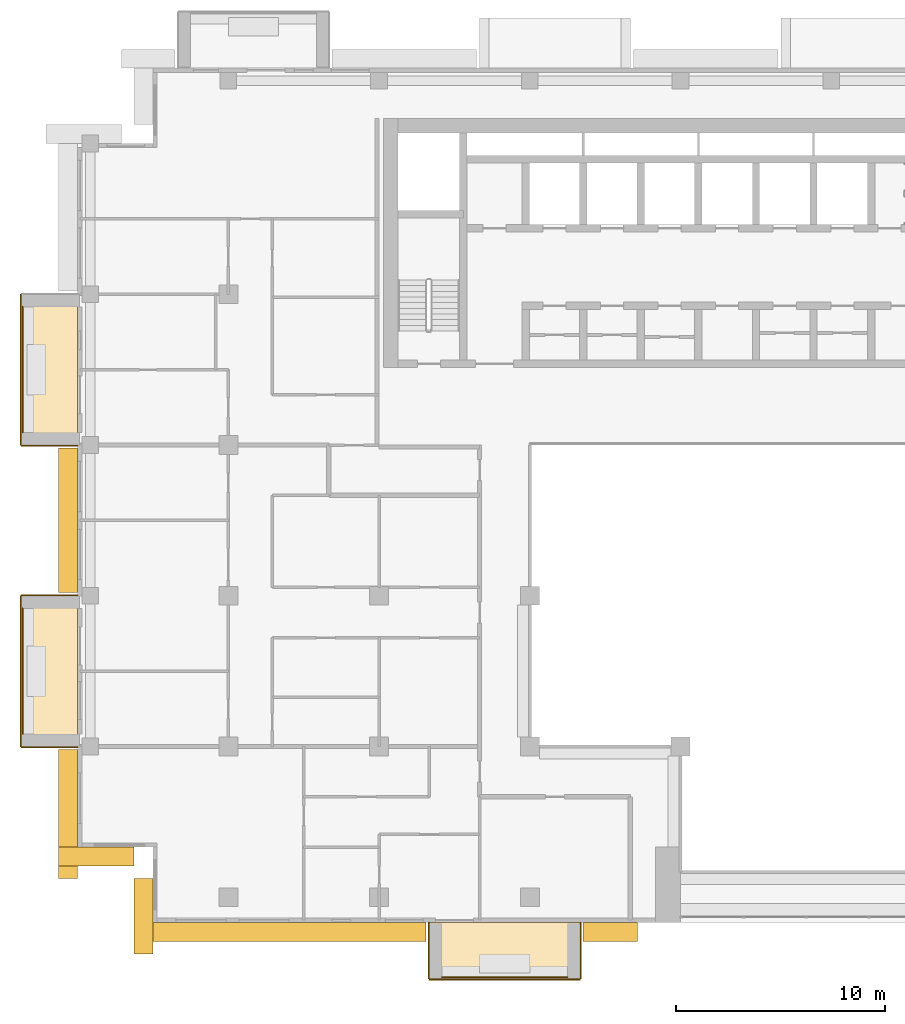
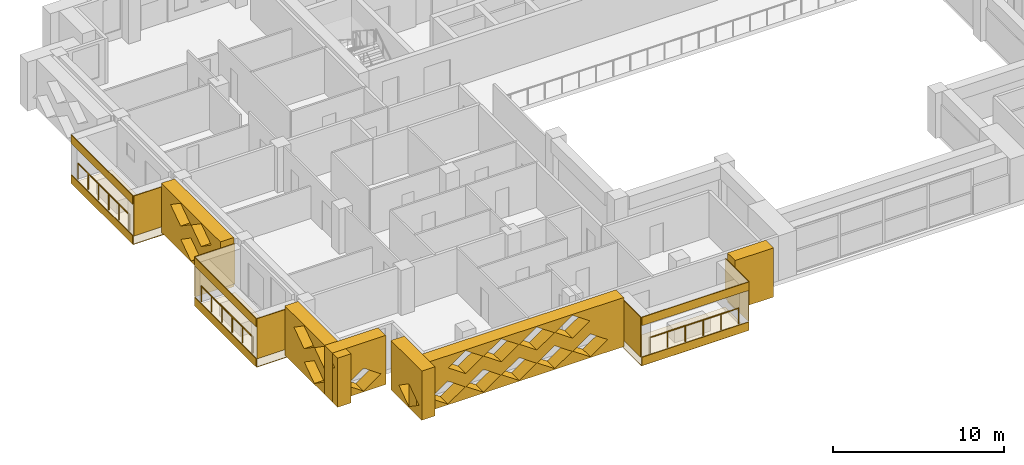
# One storey, part 14 of 20: 20 coverings, 3 railings.
"""IFC4 building model written with IfcOpenShell, lengths in metres."""

from ifc_helpers import new_model, si_unit, direction, frame, origin, origin_2d, place, context, subcontext, project, spatial, polyline, circle, outline, extrude, material, layer, layer_set, type_object, element, save


model = new_model("IFC4")

# Units and contexts
model_context = context("Model", 3, precision=1e-05, world=origin(), true_north=direction((0.0, 1.0)))
body_context = subcontext(model_context, "Body", "Model", "MODEL_VIEW")
ifc_project = project(units=[si_unit("LENGTHUNIT", "METRE"), si_unit("AREAUNIT", "SQUARE_METRE"), si_unit("VOLUMEUNIT", "CUBIC_METRE"), si_unit("PLANEANGLEUNIT", "RADIAN"), si_unit("MASSUNIT", "GRAM", prefix="KILO")], contexts=[model_context])

# Site, building, storey
site_placement = place(None, origin())
site = spatial("IfcSite", under=ifc_project, at=site_placement, CompositionType="ELEMENT")
building_placement = place(site_placement, origin())
building = spatial("IfcBuilding", under=site, at=building_placement, Name="Saffron Iwan Residences", CompositionType="ELEMENT")
storey_placement = place(building_placement, frame((0.0, 0.0, 195.5)))
storey = spatial("IfcBuildingStorey", under=building, at=storey_placement, Name="L52", CompositionType="ELEMENT", Elevation=195.5)

# Railings
ifc_material_1 = material(Name="Stainless steel 316", Category="steel")
railing_type = type_object("IfcRailingType", Name="BALCONY GUARD 1150", PredefinedType="GUARDRAIL", material=ifc_material_1)
for number, where, name in (
    (1, (11.77490234375, 69.0, 0.0), "Balcony guard L52 F8-0"),
    (2, (11.77490234375, 54.60009765625, 0.0), "Balcony guard L52 F8-1"),
):
    element("IfcRailing", number, at=place(storey_placement, frame(where)), inside=storey, type_object=railing_type, Name=name, PredefinedType="GUARDRAIL", context=body_context, shape_type="SweptSolid", body=[
        extrude(circle(Radius=0.02392578125, at=origin_2d()), frame((0.0, 0.0, 1.1259765625), z_axis=(0.0, -1.0, 0.0), x_axis=(1.0, 0.0, 0.0)), (0.0, 0.0, 1.0), 6.0),
        extrude(circle(Radius=0.02099609375, at=origin_2d()), origin(), (0.0, 0.0, 1.0), 1.101806640625),
        extrude(circle(Radius=0.02099609375, at=origin_2d()), frame((0.0, -1.199951171875, 0.0)), (0.0, 0.0, 1.0), 1.101806640625),
        extrude(circle(Radius=0.02099609375, at=origin_2d()), frame((0.0, -2.39990234375, 0.0)), (0.0, 0.0, 1.0), 1.101806640625),
        extrude(circle(Radius=0.02099609375, at=origin_2d()), frame((0.0, -3.60009765625, 0.0)), (0.0, 0.0, 1.0), 1.101806640625),
        extrude(circle(Radius=0.02099609375, at=origin_2d()), frame((0.0, -4.800048828125, 0.0)), (0.0, 0.0, 1.0), 1.101806640625),
        extrude(circle(Radius=0.02099609375, at=origin_2d()), frame((0.0, -6.0, 0.0)), (0.0, 0.0, 1.0), 1.101806640625),
    ])
railing_placement = place(storey_placement, frame((31.800048828125, 36.97509765625, 0.0)))
element("IfcRailing", 3, at=railing_placement, inside=storey, type_object=railing_type, Name="Balcony guard L52 11-0", PredefinedType="GUARDRAIL", context=body_context, shape_type="SweptSolid", body=[
    extrude(circle(Radius=0.02392578125, at=origin_2d()), frame((0.0, 0.0, 1.1259765625), z_axis=(1.0, 0.0, 0.0), x_axis=(0.0, 1.0, 0.0)), (0.0, 0.0, 1.0), 6.0),
    extrude(circle(Radius=0.02099609375, at=origin_2d()), origin(), (0.0, 0.0, 1.0), 1.101806640625),
    extrude(circle(Radius=0.02099609375, at=origin_2d()), frame((1.199951171875, 0.0, 0.0)), (0.0, 0.0, 1.0), 1.101806640625),
    extrude(circle(Radius=0.02099609375, at=origin_2d()), frame((2.39990234375, 0.0, 0.0)), (0.0, 0.0, 1.0), 1.101806640625),
    extrude(circle(Radius=0.02099609375, at=origin_2d()), frame((3.60009765625, 0.0, 0.0)), (0.0, 0.0, 1.0), 1.101806640625),
    extrude(circle(Radius=0.02099609375, at=origin_2d()), frame((4.800048828125, 0.0, 0.0)), (0.0, 0.0, 1.0), 1.101806640625),
    extrude(circle(Radius=0.02099609375, at=origin_2d()), frame((6.0, 0.0, 0.0)), (0.0, 0.0, 1.0), 1.101806640625),
])

# Coverings
ifc_material_2 = material(Name="Precast concrete C40/50 white painted", Category="concrete")
ifc_layer = layer(ifc_material_2, 0.050048828125)
ifc_layer_set = layer_set([ifc_layer], Name="Precast concrete C40/50 white painted")
covering_type_1 = type_object("IfcCoveringType", Name="FRAME SKIN PRECAST WHITE 50", PredefinedType="CLADDING", material=ifc_layer_set)
for number, where, name in (
    (4, (0.0, 0.0, -0.60009765625), "Frame skin slab edge L52 F8-0"),
    (5, (0.0, 0.0, 2.25), "Frame skin fascia L52 F8-0"),
):
    element("IfcCovering", number, at=place(storey_placement, frame(where)), inside=storey, type_object=covering_type_1, Name=name, PredefinedType="CLADDING", context=body_context, shape_type="SweptSolid", body=[
        extrude(outline(polyline([(11.64990234375, 69.60009765625), (11.64990234375, 62.39990234375), (11.699951171875, 62.39990234375), (11.699951171875, 69.60009765625), (11.64990234375, 69.60009765625)])), origin(), (0.0, 0.0, 1.0), 0.60009765625),
    ])
covering_1_placement = place(storey_placement, frame((0.0, 0.0, -0.64990234375)))
element("IfcCovering", 6, at=covering_1_placement, inside=storey, type_object=covering_type_1, Name="Frame skin soffit L52 F8-0", PredefinedType="CLADDING", context=body_context, shape_type="SweptSolid", body=[
    extrude(outline(polyline([(11.699951171875, 69.60009765625), (11.699951171875, 62.39990234375), (14.39990234375, 62.39990234375), (14.39990234375, 69.60009765625), (11.699951171875, 69.60009765625)])), origin(), (0.0, 0.0, 1.0), 0.0498046875),
])
covering_2_placement = place(storey_placement, origin())
element("IfcCovering", 7, at=covering_2_placement, inside=storey, type_object=covering_type_1, Name="Frame skin fin L52 F8-0b", PredefinedType="CLADDING", context=body_context, shape_type="SweptSolid", body=[
    extrude(outline(polyline([(11.699951171875, 62.39990234375), (11.699951171875, 62.35009765625), (14.39990234375, 62.35009765625), (14.39990234375, 62.39990234375), (11.699951171875, 62.39990234375)])), origin(), (0.0, 0.0, 1.0), 2.85009765625),
])
for number, where, name in (
    (8, (0.0, 0.0, -0.60009765625), "Frame skin slab edge L52 F8-1"),
    (9, (0.0, 0.0, 2.25), "Frame skin fascia L52 F8-1"),
):
    element("IfcCovering", number, at=place(storey_placement, frame(where)), inside=storey, type_object=covering_type_1, Name=name, PredefinedType="CLADDING", context=body_context, shape_type="SweptSolid", body=[
        extrude(outline(polyline([(11.64990234375, 55.199951171875), (11.64990234375, 48.0), (11.699951171875, 48.0), (11.699951171875, 55.199951171875), (11.64990234375, 55.199951171875)])), origin(), (0.0, 0.0, 1.0), 0.60009765625),
    ])
covering_3_placement = place(storey_placement, frame((0.0, 0.0, -0.64990234375)))
element("IfcCovering", 10, at=covering_3_placement, inside=storey, type_object=covering_type_1, Name="Frame skin soffit L52 F8-1", PredefinedType="CLADDING", context=body_context, shape_type="SweptSolid", body=[
    extrude(outline(polyline([(11.699951171875, 55.199951171875), (11.699951171875, 48.0), (14.39990234375, 48.0), (14.39990234375, 55.199951171875), (11.699951171875, 55.199951171875)])), origin(), (0.0, 0.0, 1.0), 0.0498046875),
])
covering_4_placement = place(storey_placement, origin())
element("IfcCovering", 11, at=covering_4_placement, inside=storey, type_object=covering_type_1, Name="Frame skin fin L52 F8-1a", PredefinedType="CLADDING", context=body_context, shape_type="SweptSolid", body=[
    extrude(outline(polyline([(11.699951171875, 55.25), (11.699951171875, 55.199951171875), (14.39990234375, 55.199951171875), (14.39990234375, 55.25), (11.699951171875, 55.25)])), origin(), (0.0, 0.0, 1.0), 2.85009765625),
])
covering_5_placement = place(storey_placement, origin())
element("IfcCovering", 12, at=covering_5_placement, inside=storey, type_object=covering_type_1, Name="Frame skin fin L52 F8-1b", PredefinedType="CLADDING", context=body_context, shape_type="SweptSolid", body=[
    extrude(outline(polyline([(11.699951171875, 48.0), (11.699951171875, 47.949951171875), (14.39990234375, 47.949951171875), (14.39990234375, 48.0), (11.699951171875, 48.0)])), origin(), (0.0, 0.0, 1.0), 2.85009765625),
])
for number, where, name in (
    (13, (0.0, 0.0, -0.60009765625), "Frame skin slab edge L52 11-0"),
    (14, (0.0, 0.0, 2.25), "Frame skin fascia L52 11-0"),
):
    element("IfcCovering", number, at=place(storey_placement, frame(where)), inside=storey, type_object=covering_type_1, Name=name, PredefinedType="CLADDING", context=body_context, shape_type="SweptSolid", body=[
        extrude(outline(polyline([(31.199951171875, 36.85009765625), (38.39990234375, 36.85009765625), (38.39990234375, 36.89990234375), (31.199951171875, 36.89990234375), (31.199951171875, 36.85009765625)])), origin(), (0.0, 0.0, 1.0), 0.60009765625),
    ])
covering_6_placement = place(storey_placement, frame((0.0, 0.0, -0.64990234375)))
element("IfcCovering", 15, at=covering_6_placement, inside=storey, type_object=covering_type_1, Name="Frame skin soffit L52 11-0", PredefinedType="CLADDING", context=body_context, shape_type="SweptSolid", body=[
    extrude(outline(polyline([(31.199951171875, 36.89990234375), (38.39990234375, 36.89990234375), (38.39990234375, 39.60009765625), (31.199951171875, 39.60009765625), (31.199951171875, 36.89990234375)])), origin(), (0.0, 0.0, 1.0), 0.0498046875),
])
covering_7_placement = place(storey_placement, origin())
element("IfcCovering", 16, at=covering_7_placement, inside=storey, type_object=covering_type_1, Name="Frame skin fin L52 11-0a", PredefinedType="CLADDING", context=body_context, shape_type="SweptSolid", body=[
    extrude(outline(polyline([(31.14990234375, 36.89990234375), (31.199951171875, 36.89990234375), (31.199951171875, 39.60009765625), (31.14990234375, 39.60009765625), (31.14990234375, 36.89990234375)])), origin(), (0.0, 0.0, 1.0), 2.85009765625),
])
covering_8_placement = place(storey_placement, origin())
element("IfcCovering", 17, at=covering_8_placement, inside=storey, type_object=covering_type_1, Name="Frame skin fin L52 11-0b", PredefinedType="CLADDING", context=body_context, shape_type="SweptSolid", body=[
    extrude(outline(polyline([(38.39990234375, 36.89990234375), (38.449951171875, 36.89990234375), (38.449951171875, 39.60009765625), (38.39990234375, 39.60009765625), (38.39990234375, 36.89990234375)])), origin(), (0.0, 0.0, 1.0), 2.85009765625),
])
ifc_material_3 = material(Name="Precast concrete C40/50", Category="concrete")
covering_type_2 = type_object("IfcCoveringType", Name="OUTER SKIN LATTICE SCREEN", PredefinedType="CLADDING", material=ifc_material_3)
covering_9_placement = place(storey_placement, frame((14.39990234375, 62.25, -0.300048828125), z_axis=(-1.0, 0.0, 0.0), x_axis=(0.0, -1.0, 0.0)))
element("IfcCovering", 18, at=covering_9_placement, inside=storey, type_object=covering_type_2, Name="OUTER SKIN lattice screen L52 F8.1", PredefinedType="CLADDING", context=body_context, shape_type="SweptSolid", body=[
    extrude(outline(polyline([(0.0, 0.0), (6.89990234375, 0.0), (6.89990234375, 3.5), (0.0, 3.5), (0.0, 0.0)]), holes=[polyline([(2.27001953125, 0.875), (3.449951171875, 0.06005859375), (4.6298828125, 0.875), (3.449951171875, 1.68994140625), (2.27001953125, 0.875)]), polyline([(1.070068359375, 2.625), (2.25, 1.81005859375), (3.429931640625, 2.625), (2.25, 3.43994140625), (1.070068359375, 2.625)]), polyline([(3.469970703125, 2.625), (4.64990234375, 1.81005859375), (5.830078125, 2.625), (4.64990234375, 3.43994140625), (3.469970703125, 2.625)])]), origin(), (0.0, 0.0, 1.0), 0.89990234375),
])
covering_10_placement = place(storey_placement, frame((14.39990234375, 47.85009765625, -0.300048828125), z_axis=(-1.0, 0.0, 0.0), x_axis=(0.0, -1.0, 0.0)))
element("IfcCovering", 19, at=covering_10_placement, inside=storey, type_object=covering_type_2, Name="OUTER SKIN lattice screen L52 F8.2", PredefinedType="CLADDING", context=body_context, shape_type="SweptSolid", body=[
    extrude(outline(polyline([(0.0, 0.0), (6.14990234375, 0.0), (6.14990234375, 3.5), (0.0, 3.5), (0.0, 0.0)]), holes=[polyline([(2.27001953125, 0.875), (3.449951171875, 0.06005859375), (4.6298828125, 0.875), (3.449951171875, 1.68994140625), (2.27001953125, 0.875)]), polyline([(1.070068359375, 2.625), (2.25, 1.81005859375), (3.429931640625, 2.625), (2.25, 3.43994140625), (1.070068359375, 2.625)]), polyline([(3.469970703125, 2.625), (4.64990234375, 1.81005859375), (5.830078125, 2.625), (4.64990234375, 3.43994140625), (3.469970703125, 2.625)])]), origin(), (0.0, 0.0, 1.0), 0.89990234375),
])
for number, where, z_axis, x_axis, name in (
    (20, (13.5, 43.199951171875, -0.300048828125), (0.0, -1.0, 0.0), (1.0, 0.0, 0.0), "OUTER SKIN lattice screen L52 F9.0"),
    (21, (18.0, 41.699951171875, -0.300048828125), (-1.0, 0.0, 0.0), (0.0, -1.0, 0.0), "OUTER SKIN lattice screen L52 F10.0"),
):
    element("IfcCovering", number, at=place(storey_placement, frame(where, z_axis=z_axis, x_axis=x_axis)), inside=storey, type_object=covering_type_2, Name=name, PredefinedType="CLADDING", context=body_context, shape_type="SweptSolid", body=[
        extrude(outline(polyline([(0.0, 0.0), (3.60009765625, 0.0), (3.60009765625, 3.5), (0.0, 3.5), (0.0, 0.0)]), holes=[polyline([(0.919921875, 0.875), (2.10009765625, 0.06005859375), (3.280029296875, 0.875), (2.10009765625, 1.68994140625), (0.919921875, 0.875)])]), origin(), (0.0, 0.0, 1.0), 0.89990234375),
    ])
covering_11_placement = place(storey_placement, frame((17.10009765625, 39.60009765625, -0.300048828125), z_axis=(0.0, -1.0, 0.0), x_axis=(1.0, 0.0, 0.0)))
element("IfcCovering", 22, at=covering_11_placement, inside=storey, type_object=covering_type_2, Name="OUTER SKIN lattice screen L52 F11.0", PredefinedType="CLADDING", context=body_context, shape_type="SweptSolid", body=[
    extrude(outline(polyline([(0.0, 0.0), (13.949951171875, 0.0), (13.949951171875, 3.5), (0.0, 3.5), (0.0, 0.0)]), holes=[polyline([(0.919921875, 0.875), (2.10009765625, 0.06005859375), (3.280029296875, 0.875), (2.10009765625, 1.68994140625), (0.919921875, 0.875)]), polyline([(3.320068359375, 0.875), (4.5, 0.06005859375), (5.679931640625, 0.875), (4.5, 1.68994140625), (3.320068359375, 0.875)]), polyline([(5.719970703125, 0.875), (6.89990234375, 0.06005859375), (8.080078125, 0.875), (6.89990234375, 1.68994140625), (5.719970703125, 0.875)]), polyline([(8.1201171875, 0.875), (9.300048828125, 0.06005859375), (10.47998046875, 0.875), (9.300048828125, 1.68994140625), (8.1201171875, 0.875)]), polyline([(10.52001953125, 0.875), (11.699951171875, 0.06005859375), (12.8798828125, 0.875), (11.699951171875, 1.68994140625), (10.52001953125, 0.875)]), polyline([(2.1201171875, 2.625), (3.300048828125, 1.81005859375), (4.47998046875, 2.625), (3.300048828125, 3.43994140625), (2.1201171875, 2.625)]), polyline([(4.52001953125, 2.625), (5.699951171875, 1.81005859375), (6.8798828125, 2.625), (5.699951171875, 3.43994140625), (4.52001953125, 2.625)]), polyline([(6.919921875, 2.625), (8.10009765625, 1.81005859375), (9.280029296875, 2.625), (8.10009765625, 3.43994140625), (6.919921875, 2.625)]), polyline([(9.320068359375, 2.625), (10.5, 1.81005859375), (11.679931640625, 2.625), (10.5, 3.43994140625), (9.320068359375, 2.625)])]), origin(), (0.0, 0.0, 1.0), 0.900146484375),
])
covering_12_placement = place(storey_placement, frame((38.550048828125, 39.60009765625, -0.300048828125), z_axis=(0.0, -1.0, 0.0), x_axis=(1.0, 0.0, 0.0)))
element("IfcCovering", 23, at=covering_12_placement, inside=storey, type_object=covering_type_2, Name="OUTER SKIN lattice screen L52 F11.1", PredefinedType="CLADDING", context=body_context, shape_type="SweptSolid", body=[
    extrude(outline(polyline([(0.0, 0.0), (2.60009765625, 0.0), (2.60009765625, 3.5), (0.0, 3.5), (0.0, 0.0)])), origin(), (0.0, 0.0, 1.0), 0.900146484375),
])

save(model, "model.ifc")
